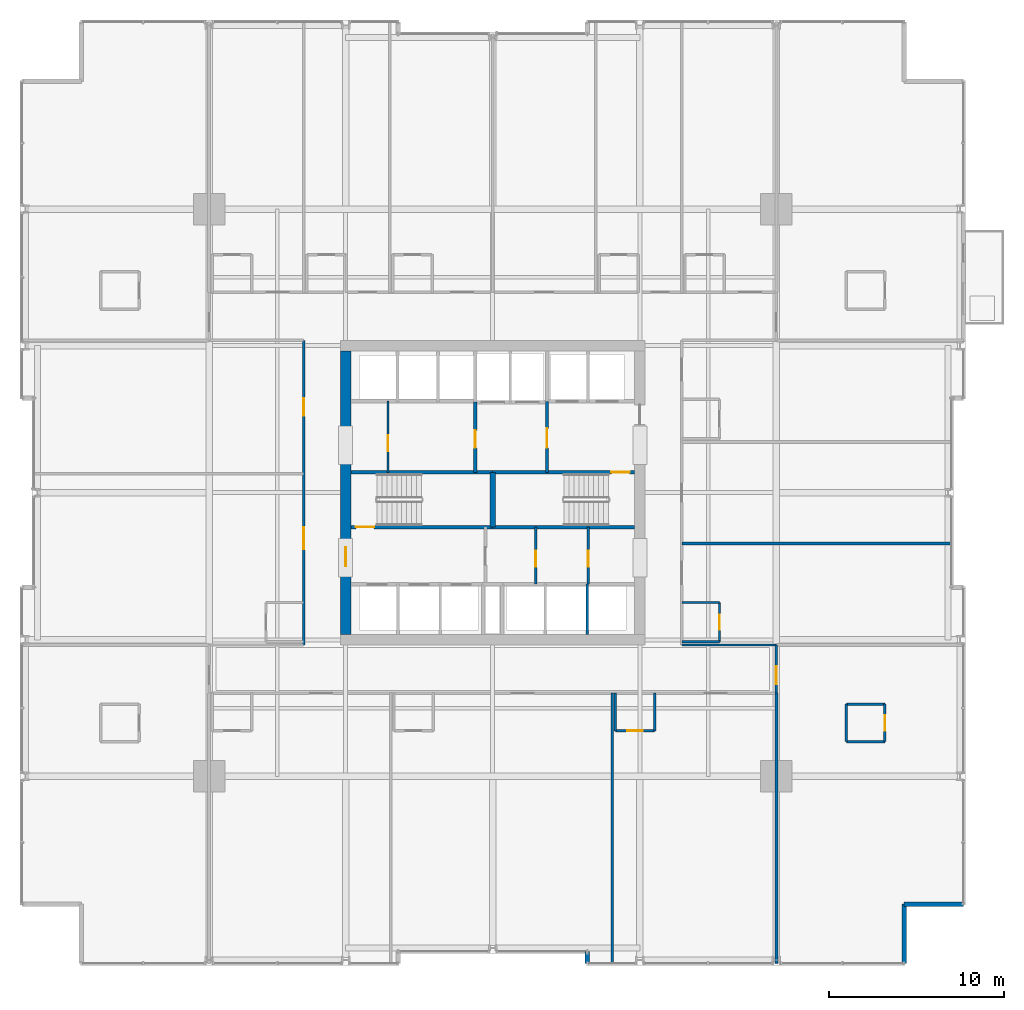
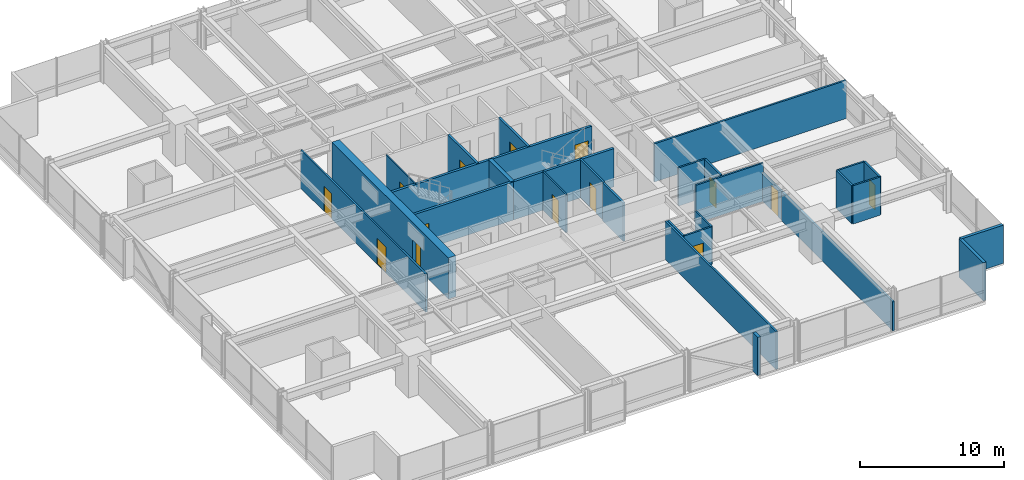
# One storey, part 31 of 38: 31 walls, 14 doors, 14 openings.
"""IFC4 building model written with IfcOpenShell, lengths in metres."""

import ifcopenshell
import ifcopenshell.guid

model = None  # the IFC model being written
_history = None  # IfcOwnerHistory: only IFC2X3 demands one
_inside = {}  # id of a spatial element -> (the spatial element, [elements in it])
_under = {}  # id of a project, library or spatial element -> (it, [spatial elements below it])
_declared = {}  # id of a project -> (the project, [libraries it declares])
_typed = {}  # id of a type object -> (the type object, [elements of that type])
_made_of = {}  # id of a material, layer set ... -> (it, [elements and type objects made of it])


def new_model(schema):
    """Start an empty IFC model of exactly this schema.

    Asked for "IFC4X3", IfcOpenShell would pick the latest addendum, in which some entities
    have other attributes; the version numbers below select the first issue.
    IFC2X3 requires an IfcOwnerHistory on every rooted entity: one is made here for all.
    """
    global model, _history
    if schema == "IFC4X3":
        model = ifcopenshell.file(schema_version=(4, 3, 0, 0))
    else:
        model = ifcopenshell.file(schema=schema)
    _inside.clear()
    _under.clear()
    _declared.clear()
    _typed.clear()
    _made_of.clear()
    _history = None
    if model.schema == "IFC2X3":
        org = make("IfcOrganization", Name="unknown")
        user = make(
            "IfcPersonAndOrganization",
            ThePerson=make("IfcPerson", FamilyName="unknown"),
            TheOrganization=org,
        )
        app = make(
            "IfcApplication",
            ApplicationDeveloper=org,
            Version="unknown",
            ApplicationFullName="unknown",
            ApplicationIdentifier="unknown",
        )
        _history = make(
            "IfcOwnerHistory",
            OwningUser=user,
            OwningApplication=app,
            ChangeAction="ADDED",
            CreationDate=0,
        )
    return model


def make(cls, **values):
    """One entity of the class cls with the attributes given. An attribute that is None is left unset."""
    return model.create_entity(
        cls, **{name: value for name, value in values.items() if value is not None}
    )


def rooted(cls, **values):
    """An entity with a GlobalId (a new one), such as an element, a storey or a relation."""
    return make(cls, GlobalId=ifcopenshell.guid.new(), OwnerHistory=_history, **values)


def si_unit(unit_type, name, prefix=None):
    """IfcSIUnit, for example si_unit("LENGTHUNIT", "METRE", prefix="MILLI")."""
    return make("IfcSIUnit", UnitType=unit_type, Prefix=prefix, Name=name)


def assignment(units):
    """IfcUnitAssignment: the units of a project."""
    return None if units is None else make("IfcUnitAssignment", Units=units)


def point(xyz):
    """IfcCartesianPoint."""
    return None if xyz is None else make("IfcCartesianPoint", Coordinates=xyz)


def direction(xyz):
    """IfcDirection."""
    return None if xyz is None else make("IfcDirection", DirectionRatios=xyz)


def frame(location, z_axis=None, x_axis=None):
    """IfcAxis2Placement3D, a coordinate frame: its origin and axes. An axis left out is left unset."""
    return make(
        "IfcAxis2Placement3D",
        Location=point(location),
        Axis=direction(z_axis),
        RefDirection=direction(x_axis),
    )


def frame_2d(location, x_axis=None):
    """IfcAxis2Placement2D, a coordinate frame in the plane: its origin and x axis."""
    return make(
        "IfcAxis2Placement2D", Location=point(location), RefDirection=direction(x_axis)
    )


def origin():
    """The frame at (0, 0, 0) with its axes left unset."""
    return frame((0.0, 0.0, 0.0))


def place(relative_to, where):
    """IfcLocalPlacement: puts the frame where relative to a parent placement (None: the world)."""
    return make(
        "IfcLocalPlacement", PlacementRelTo=relative_to, RelativePlacement=where
    )


def context(
    kind, dimensions, precision=None, world=None, true_north=None, identifier=None
):
    """IfcGeometricRepresentationContext, for example the 3D "Model" context."""
    return make(
        "IfcGeometricRepresentationContext",
        ContextIdentifier=identifier,
        ContextType=kind,
        CoordinateSpaceDimension=dimensions,
        Precision=precision,
        WorldCoordinateSystem=world,
        TrueNorth=true_north,
    )


def subcontext(parent, identifier, kind, view, scale=None):
    """IfcGeometricRepresentationSubContext, for example "Body" below "Model"."""
    return make(
        "IfcGeometricRepresentationSubContext",
        ContextIdentifier=identifier,
        ContextType=kind,
        ParentContext=parent,
        TargetScale=scale,
        TargetView=view,
    )


def project(units=None, contexts=None):
    """IfcProject with its units and contexts."""
    return rooted(
        "IfcProject",
        Name="project",
        RepresentationContexts=contexts,
        UnitsInContext=assignment(units),
    )


def spatial(cls, under=None, at=None, **own):
    """A site, building, storey or space (cls), placed at a placement, below another one or the project."""
    s = rooted(cls, ObjectPlacement=at, **own)
    if under is not None:
        _under.setdefault(under.id(), (under, []))[1].append(s)
    return s


def profile(cls, at=None, kind="AREA", **sizes):
    """A parametric profile (cls). Its sizes go by their IFC names, for example OverallWidth=200.0."""
    return make(cls, ProfileType=kind, Position=at, **sizes)


def rectangle(**sizes):
    """IfcRectangleProfileDef."""
    return profile("IfcRectangleProfileDef", **sizes)


def extrude(swept, where, along, depth):
    """IfcExtrudedAreaSolid: the profile swept, set in the frame where, extruded along a direction by depth."""
    return make(
        "IfcExtrudedAreaSolid",
        SweptArea=swept,
        Position=where,
        ExtrudedDirection=direction(along),
        Depth=depth,
    )


def shape(context_of_items, identifier, shape_type, items):
    """IfcShapeRepresentation: the items that make up one representation, for example the "Body"."""
    return make(
        "IfcShapeRepresentation",
        ContextOfItems=context_of_items,
        RepresentationIdentifier=identifier,
        RepresentationType=shape_type,
        Items=items,
    )


def material(Name=None, Category=None):
    """IfcMaterial."""
    return make("IfcMaterial", Name=Name, Category=Category)


def layer(
    of_material, thickness, ventilated=None, Name=None, Category=None, Priority=None
):
    """IfcMaterialLayer: one layer of a wall or slab, of a material (None: an air gap)."""
    return make(
        "IfcMaterialLayer",
        Material=of_material,
        LayerThickness=thickness,
        IsVentilated=ventilated,
        Name=Name,
        Category=Category,
        Priority=Priority,
    )


def layer_set(layers, Name=None):
    """IfcMaterialLayerSet."""
    return make("IfcMaterialLayerSet", MaterialLayers=layers, LayerSetName=Name)


def made_of(thing, what):
    """Note that an element or type object is made of a material, layer set ...; save() writes the relation."""
    if what is not None:
        _made_of.setdefault(what.id(), (what, []))[1].append(thing)
    return thing


def type_object(cls, material=None, **own):
    """A type object (cls), such as IfcWallType, which elements share."""
    return made_of(rooted(cls, **own), material)


def element(
    cls,
    number,
    at=None,
    inside=None,
    cuts=None,
    type_object=None,
    material=None,
    context=None,
    identifier="Body",
    shape_type=None,
    held_by="IfcProductDefinitionShape",
    body=None,
    shapes=None,
    **own,
):
    """One element of the class cls, such as IfcWall. Its Tag is "e" and its number.

    at: its placement. inside: the storey or other place that contains it. cuts: it is an
    opening in that element (IfcRelVoidsElement). A single representation is given by context,
    identifier, shape_type and body (its items); several are given by shapes. held_by: the class
    of the entity that holds the representations. save() writes the other relations.
    """
    e = rooted(cls, Tag="e%d" % number, ObjectPlacement=at, **own)
    if body is not None:
        shapes = [shape(context, identifier, shape_type, body)]
    if shapes is not None:
        e.Representation = make(held_by, Representations=shapes)
    if inside is not None:
        _inside.setdefault(inside.id(), (inside, []))[1].append(e)
    if cuts is not None:
        rooted(
            "IfcRelVoidsElement", RelatingBuildingElement=cuts, RelatedOpeningElement=e
        )
    if type_object is not None:
        _typed.setdefault(type_object.id(), (type_object, []))[1].append(e)
    return made_of(e, material)


def fill(opening, filler):
    """IfcRelFillsElement: the door or window that sits in an opening."""
    return rooted(
        "IfcRelFillsElement",
        RelatingOpeningElement=opening,
        RelatedBuildingElement=filler,
    )


def aggregate(whole, parts):
    """IfcRelAggregates: a whole, such as a stair, and the parts it consists of."""
    return rooted("IfcRelAggregates", RelatingObject=whole, RelatedObjects=parts)


def save(model, path):
    """Write the relations noted so far, then the file.

    IfcRelAggregates (storeys below a building ...), IfcRelContainedInSpatialStructure (elements
    in a storey), IfcRelDefinesByType, IfcRelAssociatesMaterial and IfcRelDeclares: one each for
    every whole, place, type object, material and project.
    """
    for whole, parts in _under.values():
        aggregate(whole, parts)
    for where, things in _inside.values():
        rooted(
            "IfcRelContainedInSpatialStructure",
            RelatedElements=things,
            RelatingStructure=where,
        )
    for kind, things in _typed.values():
        rooted("IfcRelDefinesByType", RelatedObjects=things, RelatingType=kind)
    for what, things in _made_of.values():
        rooted("IfcRelAssociatesMaterial", RelatedObjects=things, RelatingMaterial=what)
    for by, libraries in _declared.values():
        rooted("IfcRelDeclares", RelatingContext=by, RelatedDefinitions=libraries)
    model.write(path)


model = new_model("IFC4")

# Units and contexts
model_context = context("Model", 3, precision=1e-05, world=origin(), true_north=direction((0.0, 1.0)))
body_context = subcontext(model_context, "Body", "Model", "MODEL_VIEW")
ifc_project = project(units=[si_unit("LENGTHUNIT", "METRE"), si_unit("AREAUNIT", "SQUARE_METRE"), si_unit("VOLUMEUNIT", "CUBIC_METRE"), si_unit("PLANEANGLEUNIT", "RADIAN"), si_unit("MASSUNIT", "GRAM", prefix="KILO")], contexts=[model_context])

# Site, building, storey
site_placement = place(None, origin())
site = spatial("IfcSite", under=ifc_project, at=site_placement, CompositionType="ELEMENT")
building_placement = place(site_placement, origin())
building = spatial("IfcBuilding", under=site, at=building_placement, Name="Drelvath Grand Hotel", CompositionType="ELEMENT")
storey_placement = place(building_placement, frame((0.0, 0.0, 71.699951171875)))
storey = spatial("IfcBuildingStorey", under=building, at=storey_placement, Name="L17", CompositionType="ELEMENT", Elevation=71.699951171875)

# Wall, opening, door
ifc_material_1 = material(Name="Gypsum Partition Board")
ifc_layer_1 = layer(ifc_material_1, 0.10009765625)
ifc_layer_set_1 = layer_set([ifc_layer_1], Name="Gypsum Partition Board")
wall_type_1 = type_object("IfcWallType", Name="Core Closet Partition 100", PredefinedType="PARTITIONING", material=ifc_layer_set_1)
wall_1_placement = place(storey_placement, frame((-5.97998046875, 28.159912109375, 0.0), z_axis=(0.0, 0.0, 1.0), x_axis=(0.0, 1.0, 0.0)))
wall_1 = element("IfcWall", 1, at=wall_1_placement, inside=storey, type_object=wall_type_1, Name="L17 Core Closet Divider 2", PredefinedType="PARTITIONING", context=body_context, shape_type="SweptSolid", body=[
    extrude(rectangle(XDim=4.06005859375, YDim=0.10009765625, at=frame_2d((2.030029296875, 0.0))), origin(), (0.0, 0.0, 1.0), 3.239990234375),
])
opening_1_placement = place(wall_1_placement, frame((1.199951171875, 0.0, 0.0)))
opening_1 = element("IfcOpeningElement", 2, at=opening_1_placement, cuts=wall_1, Name="Opening D-T1G4-010", PredefinedType="OPENING", context=body_context, shape_type="SweptSolid", body=[
    extrude(rectangle(XDim=0.919921875, YDim=2.10009765625, at=frame_2d((0.4599609375, 1.050048828125))), frame((0.0, 0.06005859375, 0.0), z_axis=(0.0, -1.0, 0.0), x_axis=(1.0, 0.0, 0.0)), (0.0, 0.0, 1.0), 0.1201171875),
])
ifc_material_2 = material(Name="Painted Steel S275", Category="steel")
door_type_1 = type_object("IfcDoorType", Name="Staff Utility Door 920x2100", OperationType="NOTDEFINED", PredefinedType="DOOR", material=ifc_material_2)
door_1_placement = place(opening_1_placement, origin())
door_1 = element("IfcDoor", 3, at=door_1_placement, inside=storey, type_object=door_type_1, Name="L17 Low-Voltage Closet Door", OperationType="SINGLE_SWING_RIGHT", OverallHeight=2.10009765625, OverallWidth=0.919921875, PredefinedType="DOOR", context=body_context, shape_type="SweptSolid", body=[
    extrude(rectangle(XDim=0.919921875, YDim=2.10009765625, at=frame_2d((0.4599609375, 1.050048828125))), frame((0.0, 0.02490234375, 0.0), z_axis=(0.0, -1.0, 0.0), x_axis=(1.0, 0.0, 0.0)), (0.0, 0.0, 1.0), 0.050048828125),
])
fill(opening_1, door_1)

ifc_material_3 = material(Name="Concrete C40/50", Category="concrete")
ifc_layer_2 = layer(ifc_material_3, 0.199951171875)
ifc_layer_set_2 = layer_set([ifc_layer_2], Name="Concrete C40/50")
wall_type_2 = type_object("IfcWallType", Name="Core Shaft Fire Wall 200", PredefinedType="SOLIDWALL", material=ifc_layer_set_2)
wall_2_placement = place(storey_placement, frame((-8.10009765625, 25.0400390625, 0.0), z_axis=(0.0, 0.0, 1.0), x_axis=(1.0, 0.0, 0.0)))
wall_2 = element("IfcWall", 4, at=wall_2_placement, inside=storey, type_object=wall_type_2, Name="L17 Stair ST-1 South Wall", PredefinedType="SOLIDWALL", context=body_context, shape_type="SweptSolid", body=[
    extrude(rectangle(XDim=8.10009765625, YDim=0.199951171875, at=frame_2d((4.050048828125, 0.0))), origin(), (0.0, 0.0, 1.0), 3.239990234375),
])
opening_2_placement = place(wall_2_placement, frame((0.280029296875, 0.0, 0.0)))
opening_2 = element("IfcOpeningElement", 5, at=opening_2_placement, cuts=wall_2, Name="Opening D-T1G4-001", PredefinedType="OPENING", context=body_context, shape_type="SweptSolid", body=[
    extrude(rectangle(XDim=1.050048828125, YDim=2.10009765625, at=frame_2d((0.52490234375, 1.050048828125))), frame((0.0, 0.10986328125, 0.0), z_axis=(0.0, -1.0, 0.0), x_axis=(1.0, 0.0, 0.0)), (0.0, 0.0, 1.0), 0.219970703125),
])
door_type_2 = type_object("IfcDoorType", Name="Tower Stairwell Fire Door 1050x2100", OperationType="NOTDEFINED", PredefinedType="DOOR", material=ifc_material_2)
door_2_placement = place(opening_2_placement, origin())
door_2 = element("IfcDoor", 6, at=door_2_placement, inside=storey, type_object=door_type_2, Name="L17 Exit Stair ST-1 Door", OperationType="SINGLE_SWING_LEFT", OverallHeight=2.10009765625, OverallWidth=1.050048828125, PredefinedType="DOOR", context=body_context, shape_type="SweptSolid", body=[
    extrude(rectangle(XDim=1.050048828125, YDim=2.10009765625, at=frame_2d((0.52490234375, 1.050048828125))), frame((0.0, 0.02490234375, 0.0), z_axis=(0.0, -1.0, 0.0), x_axis=(1.0, 0.0, 0.0)), (0.0, 0.0, 1.0), 0.050048828125),
])
fill(opening_2, door_2)

# Walls
for number, where, z_axis, x_axis, name in (
    (7, (-8.10009765625, 28.159912109375, 0.0), (0.0, 0.0, 1.0), (1.0, 0.0, 0.0), "L17 Stair ST-1 North Wall"),
    (8, (0.0, 25.0400390625, 0.0), (0.0, 0.0, 1.0), (1.0, 0.0, 0.0), "L17 Stair ST-2 South Wall"),
):
    element("IfcWall", number, at=place(storey_placement, frame(where, z_axis=z_axis, x_axis=x_axis)), inside=storey, type_object=wall_type_2, Name=name, PredefinedType="SOLIDWALL", context=body_context, shape_type="SweptSolid", body=[
        extrude(rectangle(XDim=8.10009765625, YDim=0.199951171875, at=frame_2d((4.050048828125, 0.0))), origin(), (0.0, 0.0, 1.0), 3.239990234375),
    ])

# Wall, opening, door
wall_3_placement = place(storey_placement, frame((8.10009765625, 28.159912109375, 0.0), z_axis=(0.0, 0.0, 1.0), x_axis=(-1.0, 0.0, 0.0)))
wall_3 = element("IfcWall", 9, at=wall_3_placement, inside=storey, type_object=wall_type_2, Name="L17 Stair ST-2 North Wall", PredefinedType="SOLIDWALL", context=body_context, shape_type="SweptSolid", body=[
    extrude(rectangle(XDim=8.10009765625, YDim=0.199951171875, at=frame_2d((4.050048828125, 0.0))), origin(), (0.0, 0.0, 1.0), 3.239990234375),
])
opening_3_placement = place(wall_3_placement, frame((0.280029296875, 0.0, 0.0)))
opening_3 = element("IfcOpeningElement", 10, at=opening_3_placement, cuts=wall_3, Name="Opening D-T1G4-002", PredefinedType="OPENING", context=body_context, shape_type="SweptSolid", body=[
    extrude(rectangle(XDim=1.050048828125, YDim=2.10009765625, at=frame_2d((0.52490234375, 1.050048828125))), frame((0.0, 0.10986328125, 0.0), z_axis=(0.0, -1.0, 0.0), x_axis=(1.0, 0.0, 0.0)), (0.0, 0.0, 1.0), 0.219970703125),
])
door_3_placement = place(opening_3_placement, origin())
door_3 = element("IfcDoor", 11, at=door_3_placement, inside=storey, type_object=door_type_2, Name="L17 Exit Stair ST-2 Door", OperationType="SINGLE_SWING_LEFT", OverallHeight=2.10009765625, OverallWidth=1.050048828125, PredefinedType="DOOR", context=body_context, shape_type="SweptSolid", body=[
    extrude(rectangle(XDim=1.050048828125, YDim=2.10009765625, at=frame_2d((0.52490234375, 1.050048828125))), frame((0.0, 0.02490234375, 0.0), z_axis=(0.0, -1.0, 0.0), x_axis=(1.0, 0.0, 0.0)), (0.0, 0.0, 1.0), 0.050048828125),
])
fill(opening_3, door_3)

# Walls
ifc_layer_3 = layer(ifc_material_3, 0.300048828125)
ifc_layer_set_3 = layer_set([ifc_layer_3], Name="Concrete C40/50")
wall_type_3 = type_object("IfcWallType", Name="Core Shaft Fire Wall 300", PredefinedType="SOLIDWALL", material=ifc_layer_set_3)
wall_4_placement = place(storey_placement, frame((0.0, 25.0400390625, 0.0), z_axis=(0.0, 0.0, 1.0), x_axis=(0.0, 1.0, 0.0)))
element("IfcWall", 12, at=wall_4_placement, inside=storey, type_object=wall_type_3, Name="L17 Core Stair Divider Wall", PredefinedType="SOLIDWALL", context=body_context, shape_type="SweptSolid", body=[
    extrude(rectangle(XDim=3.119873046875, YDim=0.300048828125, at=frame_2d((1.56005859375, 0.0))), origin(), (0.0, 0.0, 1.0), 3.239990234375),
])
ifc_material_4 = material(Name="Gypsum Fireboard Partition")
ifc_layer_4 = layer(ifc_material_4, 0.1650390625)
ifc_layer_set_4 = layer_set([ifc_layer_4], Name="Gypsum Fireboard Partition")
wall_type_4 = type_object("IfcWallType", Name="Core Shaft Partition 165", PredefinedType="PARTITIONING", material=ifc_layer_set_4)
wall_5_placement = place(storey_placement, frame((5.39990234375, 18.89990234375, 0.0), z_axis=(0.0, 0.0, 1.0), x_axis=(0.0, 1.0, 0.0)))
element("IfcWall", 13, at=wall_5_placement, inside=storey, type_object=wall_type_4, Name="L17 Lift PE-5/6 Divider", PredefinedType="PARTITIONING", context=body_context, shape_type="SweptSolid", body=[
    extrude(rectangle(XDim=2.880126953125, YDim=0.1650390625, at=frame_2d((1.43994140625, 0.0))), origin(), (0.0, 0.0, 1.0), 3.239990234375),
])
ifc_layer_5 = layer(ifc_material_4, 0.135009765625)
ifc_layer_set_5 = layer_set([ifc_layer_5], Name="Gypsum Fireboard Partition")
wall_type_5 = type_object("IfcWallType", Name="Corridor Fire Barrier Wall 135", PredefinedType="PARTITIONING", material=ifc_layer_set_5)
wall_6_placement = place(storey_placement, frame((10.800048828125, 18.300048828125, 0.0), z_axis=(0.0, 0.0, 1.0), x_axis=(1.0, 0.0, 0.0)))
element("IfcWall", 14, at=wall_6_placement, inside=storey, type_object=wall_type_5, Name="L17 SE Spur Inner Wall", PredefinedType="PARTITIONING", context=body_context, shape_type="SweptSolid", body=[
    extrude(rectangle(XDim=5.39990234375, YDim=0.135009765625, at=frame_2d((2.699951171875, 0.0))), origin(), (0.0, 0.0, 1.0), 3.239990234375),
])

# Wall, openings, doors
wall_7_placement = place(storey_placement, frame((-10.800048828125, 18.300048828125, 0.0), z_axis=(0.0, 0.0, 1.0), x_axis=(0.0, 1.0, 0.0)))
wall_7 = element("IfcWall", 15, at=wall_7_placement, inside=storey, type_object=wall_type_5, Name="L17 West Corridor Wall", PredefinedType="PARTITIONING", context=body_context, shape_type="SweptSolid", body=[
    extrude(rectangle(XDim=17.39990234375, YDim=0.135009765625, at=frame_2d((8.699951171875, 0.0))), origin(), (0.0, 0.0, 1.0), 3.239990234375),
])
opening_4_placement = place(wall_7_placement, frame((5.478759765625, 0.0, 0.0)))
opening_4 = element("IfcOpeningElement", 16, at=opening_4_placement, cuts=wall_7, Name="Opening D-T1G4-044", PredefinedType="OPENING", context=body_context, shape_type="SweptSolid", body=[
    extrude(rectangle(XDim=1.260009765625, YDim=2.199951171875, at=frame_2d((0.6298828125, 1.10009765625))), frame((0.0, 0.077392578125, 0.0), z_axis=(0.0, -1.0, 0.0), x_axis=(1.0, 0.0, 0.0)), (0.0, 0.0, 1.0), 0.155029296875),
])
opening_5_placement = place(wall_7_placement, frame((13.083740234375, 0.0, 0.0)))
opening_5 = element("IfcOpeningElement", 17, at=opening_5_placement, cuts=wall_7, Name="Opening D-T1G4-045", PredefinedType="OPENING", context=body_context, shape_type="SweptSolid", body=[
    extrude(rectangle(XDim=1.02001953125, YDim=2.14990234375, at=frame_2d((0.510009765625, 1.074951171875))), frame((0.0, 0.077392578125, 0.0), z_axis=(0.0, -1.0, 0.0), x_axis=(1.0, 0.0, 0.0)), (0.0, 0.0, 1.0), 0.155029296875),
])
ifc_material_5 = material(Name="Hardwood Walnut Timber", Category="wood")
door_type_3 = type_object("IfcDoorType", Name="Amenity Meeting Fire Door 1020x2150", OperationType="NOTDEFINED", PredefinedType="DOOR", material=ifc_material_5)
door_4_placement = place(opening_5_placement, origin())
door_4 = element("IfcDoor", 18, at=door_4_placement, inside=storey, type_object=door_type_3, Name="L17 Wellness Consultation Room Entry Door", OperationType="SINGLE_SWING_RIGHT", OverallHeight=2.14990234375, OverallWidth=1.02001953125, PredefinedType="DOOR", context=body_context, shape_type="SweptSolid", body=[
    extrude(rectangle(XDim=1.02001953125, YDim=2.14990234375, at=frame_2d((0.510009765625, 1.074951171875))), frame((0.0, 0.02490234375, 0.0), z_axis=(0.0, -1.0, 0.0), x_axis=(1.0, 0.0, 0.0)), (0.0, 0.0, 1.0), 0.050048828125),
])
fill(opening_5, door_4)
door_type_4 = type_object("IfcDoorType", Name="Suite Entrance Fire Door 1260x2200", OperationType="NOTDEFINED", PredefinedType="DOOR", material=ifc_material_5)
door_5_placement = place(opening_4_placement, origin())
door_5 = element("IfcDoor", 19, at=door_5_placement, inside=storey, type_object=door_type_4, Name="L17 Corner Suite Entry Door", OperationType="SINGLE_SWING_LEFT", OverallHeight=2.199951171875, OverallWidth=1.260009765625, PredefinedType="DOOR", context=body_context, shape_type="SweptSolid", body=[
    extrude(rectangle(XDim=1.260009765625, YDim=2.199951171875, at=frame_2d((0.6298828125, 1.10009765625))), frame((0.0, 0.02490234375, 0.0), z_axis=(0.0, -1.0, 0.0), x_axis=(1.0, 0.0, 0.0)), (0.0, 0.0, 1.0), 0.050048828125),
])
fill(opening_4, door_5)

# Wall, opening, door
wall_8_placement = place(storey_placement, frame((16.199951171875, 15.550048828125, 0.0), z_axis=(0.0, 0.0, 1.0), x_axis=(0.0, 1.0, 0.0)))
wall_8 = element("IfcWall", 20, at=wall_8_placement, inside=storey, type_object=wall_type_5, Name="L17 South Corridor East End", PredefinedType="PARTITIONING", context=body_context, shape_type="SweptSolid", body=[
    extrude(rectangle(XDim=2.75, YDim=0.135009765625, at=frame_2d((1.375, 0.0))), origin(), (0.0, 0.0, 1.0), 2.451904296875),
])
opening_6_placement = place(wall_8_placement, frame((0.52001953125, 0.0, 0.0)))
opening_6 = element("IfcOpeningElement", 21, at=opening_6_placement, cuts=wall_8, Name="Opening D-T1G4-021", PredefinedType="OPENING", context=body_context, shape_type="SweptSolid", body=[
    extrude(rectangle(XDim=1.02001953125, YDim=2.14990234375, at=frame_2d((0.510009765625, 1.074951171875))), frame((0.0, 0.077392578125, 0.0), z_axis=(0.0, -1.0, 0.0), x_axis=(1.0, 0.0, 0.0)), (0.0, 0.0, 1.0), 0.155029296875),
])
door_6_placement = place(opening_6_placement, origin())
door_6 = element("IfcDoor", 22, at=door_6_placement, inside=storey, type_object=door_type_3, Name="L17 Corner Suite Entry Door", OperationType="SINGLE_SWING_RIGHT", OverallHeight=2.14990234375, OverallWidth=1.02001953125, PredefinedType="DOOR", context=body_context, shape_type="SweptSolid", body=[
    extrude(rectangle(XDim=1.02001953125, YDim=2.14990234375, at=frame_2d((0.510009765625, 1.074951171875))), frame((0.0, 0.02490234375, 0.0), z_axis=(0.0, -1.0, 0.0), x_axis=(1.0, 0.0, 0.0)), (0.0, 0.0, 1.0), 0.050048828125),
])
fill(opening_6, door_6)

ifc_material_6 = material(Name="Moisture-Resistant Gypsum Board")
ifc_layer_6 = layer(ifc_material_6, 0.139892578125)
ifc_layer_set_6 = layer_set([ifc_layer_6], Name="Moisture-Resistant Gypsum Board")
wall_type_6 = type_object("IfcWallType", Name="En-Suite Plumbing Wall 140", PredefinedType="PLUMBINGWALL", material=ifc_layer_set_6)
wall_9_placement = place(storey_placement, frame((2.4599609375, 21.780029296875, 0.0), z_axis=(0.0, 0.0, 1.0), x_axis=(0.0, 1.0, 0.0)))
wall_9 = element("IfcWall", 23, at=wall_9_placement, inside=storey, type_object=wall_type_6, Name="L17 Staff WC West Wall", PredefinedType="PLUMBINGWALL", context=body_context, shape_type="SweptSolid", body=[
    extrude(rectangle(XDim=3.260009765625, YDim=0.139892578125, at=frame_2d((1.6298828125, 0.0))), origin(), (0.0, 0.0, 1.0), 3.239990234375),
])
opening_7_placement = place(wall_9_placement, frame((1.0, 0.0, 0.0)))
opening_7 = element("IfcOpeningElement", 24, at=opening_7_placement, cuts=wall_9, Name="Opening D-T1G4-016", PredefinedType="OPENING", context=body_context, shape_type="SweptSolid", body=[
    extrude(rectangle(XDim=0.919921875, YDim=2.10009765625, at=frame_2d((0.4599609375, 1.050048828125))), frame((0.0, 0.079833984375, 0.0), z_axis=(0.0, -1.0, 0.0), x_axis=(1.0, 0.0, 0.0)), (0.0, 0.0, 1.0), 0.159912109375),
])
door_7_placement = place(opening_7_placement, origin())
door_7 = element("IfcDoor", 25, at=door_7_placement, inside=storey, type_object=door_type_1, Name="L17 Staff WC Door", OperationType="SINGLE_SWING_LEFT", OverallHeight=2.10009765625, OverallWidth=0.919921875, PredefinedType="DOOR", context=body_context, shape_type="SweptSolid", body=[
    extrude(rectangle(XDim=0.919921875, YDim=2.10009765625, at=frame_2d((0.4599609375, 1.050048828125))), frame((0.0, 0.02490234375, 0.0), z_axis=(0.0, -1.0, 0.0), x_axis=(1.0, 0.0, 0.0)), (0.0, 0.0, 1.0), 0.050048828125),
])
fill(opening_7, door_7)

wall_10_placement = place(storey_placement, frame((5.4599609375, 21.780029296875, 0.0), z_axis=(0.0, 0.0, 1.0), x_axis=(0.0, 1.0, 0.0)))
wall_10 = element("IfcWall", 26, at=wall_10_placement, inside=storey, type_object=wall_type_6, Name="L17 Staff WC East Wall", PredefinedType="PLUMBINGWALL", context=body_context, shape_type="SweptSolid", body=[
    extrude(rectangle(XDim=3.260009765625, YDim=0.139892578125, at=frame_2d((1.6298828125, 0.0))), origin(), (0.0, 0.0, 1.0), 3.239990234375),
])
opening_8_placement = place(wall_10_placement, frame((1.0, 0.0, 0.0)))
opening_8 = element("IfcOpeningElement", 27, at=opening_8_placement, cuts=wall_10, Name="Opening D-T1G4-017", PredefinedType="OPENING", context=body_context, shape_type="SweptSolid", body=[
    extrude(rectangle(XDim=0.919921875, YDim=2.10009765625, at=frame_2d((0.4599609375, 1.050048828125))), frame((0.0, 0.079833984375, 0.0), z_axis=(0.0, -1.0, 0.0), x_axis=(1.0, 0.0, 0.0)), (0.0, 0.0, 1.0), 0.159912109375),
])
door_8_placement = place(opening_8_placement, origin())
door_8 = element("IfcDoor", 28, at=door_8_placement, inside=storey, type_object=door_type_1, Name="L17 Janitor Supply Door", OperationType="SINGLE_SWING_RIGHT", OverallHeight=2.10009765625, OverallWidth=0.919921875, PredefinedType="DOOR", context=body_context, shape_type="SweptSolid", body=[
    extrude(rectangle(XDim=0.919921875, YDim=2.10009765625, at=frame_2d((0.4599609375, 1.050048828125))), frame((0.0, 0.02490234375, 0.0), z_axis=(0.0, -1.0, 0.0), x_axis=(1.0, 0.0, 0.0)), (0.0, 0.0, 1.0), 0.050048828125),
])
fill(opening_8, door_8)

# Walls
for number, where, z_axis, x_axis, name in (
    (29, (20.199951171875, 12.780029296875, 0.0), (0.0, 0.0, 1.0), (1.0, 0.0, 0.0), "L17 Corner En-Suite South"),
    (30, (20.199951171875, 14.929931640625, 0.0), (0.0, 0.0, 1.0), (1.0, 0.0, 0.0), "L17 Corner En-Suite North"),
):
    element("IfcWall", number, at=place(storey_placement, frame(where, z_axis=z_axis, x_axis=x_axis)), inside=storey, type_object=wall_type_6, Name=name, PredefinedType="PLUMBINGWALL", context=body_context, shape_type="SweptSolid", body=[
        extrude(rectangle(XDim=2.199951171875, YDim=0.139892578125, at=frame_2d((1.10009765625, 0.0))), origin(), (0.0, 0.0, 1.0), 3.239990234375),
    ])
wall_11_placement = place(storey_placement, frame((20.199951171875, 12.780029296875, 0.0), z_axis=(0.0, 0.0, 1.0), x_axis=(0.0, 1.0, 0.0)))
element("IfcWall", 31, at=wall_11_placement, inside=storey, type_object=wall_type_6, Name="L17 Corner En-Suite West", PredefinedType="PLUMBINGWALL", context=body_context, shape_type="SweptSolid", body=[
    extrude(rectangle(XDim=2.14990234375, YDim=0.139892578125, at=frame_2d((1.074951171875, 0.0))), origin(), (0.0, 0.0, 1.0), 3.239990234375),
])

# Wall, opening, door
wall_12_placement = place(storey_placement, frame((22.39990234375, 12.780029296875, 0.0), z_axis=(0.0, 0.0, 1.0), x_axis=(0.0, 1.0, 0.0)))
wall_12 = element("IfcWall", 32, at=wall_12_placement, inside=storey, type_object=wall_type_6, Name="L17 Corner En-Suite East", PredefinedType="PLUMBINGWALL", context=body_context, shape_type="SweptSolid", body=[
    extrude(rectangle(XDim=2.14990234375, YDim=0.139892578125, at=frame_2d((1.074951171875, 0.0))), origin(), (0.0, 0.0, 1.0), 3.239990234375),
])
opening_9_placement = place(wall_12_placement, frame((0.6201171875, 0.0, 0.0)))
opening_9 = element("IfcOpeningElement", 33, at=opening_9_placement, cuts=wall_12, Name="Opening D-T1G4-020", PredefinedType="OPENING", context=body_context, shape_type="SweptSolid", body=[
    extrude(rectangle(XDim=0.8798828125, YDim=2.10009765625, at=frame_2d((0.43994140625, 1.050048828125))), frame((0.0, 0.079833984375, 0.0), z_axis=(0.0, -1.0, 0.0), x_axis=(1.0, 0.0, 0.0)), (0.0, 0.0, 1.0), 0.159912109375),
])
door_type_5 = type_object("IfcDoorType", Name="En-Suite Bathroom Door 880x2100", OperationType="NOTDEFINED", PredefinedType="DOOR", material=ifc_material_5)
door_9_placement = place(opening_9_placement, origin())
door_9 = element("IfcDoor", 34, at=door_9_placement, inside=storey, type_object=door_type_5, Name="L17 Corner En-Suite Door", OperationType="SINGLE_SWING_LEFT", OverallHeight=2.10009765625, OverallWidth=0.8798828125, PredefinedType="DOOR", context=body_context, shape_type="SweptSolid", body=[
    extrude(rectangle(XDim=0.8798828125, YDim=2.10009765625, at=frame_2d((0.43994140625, 1.050048828125))), frame((0.0, 0.02490234375, 0.0), z_axis=(0.0, -1.0, 0.0), x_axis=(1.0, 0.0, 0.0)), (0.0, 0.0, 1.0), 0.050048828125),
])
fill(opening_9, door_9)

# Walls
for number, where, z_axis, x_axis, name in (
    (35, (7.001220703125, 15.550048828125, 0.0), (0.0, 0.0, 1.0), (0.0, -1.0, 0.0), "L17 En-Suite Left Wall"),
    (36, (9.251220703125, 15.550048828125, 0.0), (0.0, 0.0, 1.0), (0.0, -1.0, 0.0), "L17 En-Suite Right Wall"),
):
    element("IfcWall", number, at=place(storey_placement, frame(where, z_axis=z_axis, x_axis=x_axis)), inside=storey, type_object=wall_type_6, Name=name, PredefinedType="PLUMBINGWALL", context=body_context, shape_type="SweptSolid", body=[
        extrude(rectangle(XDim=2.150146484375, YDim=0.139892578125, at=frame_2d((1.0751953125, 0.0))), origin(), (0.0, 0.0, 1.0), 3.239990234375),
    ])

# Wall, opening, door
wall_13_placement = place(storey_placement, frame((7.001220703125, 13.39990234375, 0.0), z_axis=(0.0, 0.0, 1.0), x_axis=(1.0, 0.0, 0.0)))
wall_13 = element("IfcWall", 37, at=wall_13_placement, inside=storey, type_object=wall_type_6, Name="L17 En-Suite Front Wall", PredefinedType="PLUMBINGWALL", context=body_context, shape_type="SweptSolid", body=[
    extrude(rectangle(XDim=2.25, YDim=0.139892578125, at=frame_2d((1.125, 0.0))), origin(), (0.0, 0.0, 1.0), 3.239990234375),
])
opening_10_placement = place(wall_13_placement, frame((0.68505859375, 0.0, 0.0)))
opening_10 = element("IfcOpeningElement", 38, at=opening_10_placement, cuts=wall_13, Name="Opening D-T1G4-030", PredefinedType="OPENING", context=body_context, shape_type="SweptSolid", body=[
    extrude(rectangle(XDim=0.8798828125, YDim=2.10009765625, at=frame_2d((0.43994140625, 1.050048828125))), frame((0.0, 0.079833984375, 0.0), z_axis=(0.0, -1.0, 0.0), x_axis=(1.0, 0.0, 0.0)), (0.0, 0.0, 1.0), 0.159912109375),
])
door_10_placement = place(opening_10_placement, origin())
door_10 = element("IfcDoor", 39, at=door_10_placement, inside=storey, type_object=door_type_5, Name="L17 En-Suite Bathroom Door", OperationType="SINGLE_SWING_LEFT", OverallHeight=2.10009765625, OverallWidth=0.8798828125, PredefinedType="DOOR", context=body_context, shape_type="SweptSolid", body=[
    extrude(rectangle(XDim=0.8798828125, YDim=2.10009765625, at=frame_2d((0.43994140625, 1.050048828125))), frame((0.0, 0.02490234375, 0.0), z_axis=(0.0, -1.0, 0.0), x_axis=(1.0, 0.0, 0.0)), (0.0, 0.0, 1.0), 0.050048828125),
])
fill(opening_10, door_10)

# Walls
wall_14_placement = place(storey_placement, frame((10.800048828125, 18.47998046875, 0.0), z_axis=(0.0, 0.0, 1.0), x_axis=(1.0, 0.0, 0.0)))
element("IfcWall", 40, at=wall_14_placement, inside=storey, type_object=wall_type_6, Name="L17 En-Suite Left Wall", PredefinedType="PLUMBINGWALL", context=body_context, shape_type="SweptSolid", body=[
    extrude(rectangle(XDim=2.14990234375, YDim=0.139892578125, at=frame_2d((1.074951171875, 0.0))), origin(), (0.0, 0.0, 1.0), 2.617431640625),
])
wall_15_placement = place(storey_placement, frame((10.800048828125, 20.72998046875, 0.0), z_axis=(0.0, 0.0, 1.0), x_axis=(1.0, 0.0, 0.0)))
element("IfcWall", 41, at=wall_15_placement, inside=storey, type_object=wall_type_6, Name="L17 En-Suite Right Wall", PredefinedType="PLUMBINGWALL", context=body_context, shape_type="SweptSolid", body=[
    extrude(rectangle(XDim=2.14990234375, YDim=0.139892578125, at=frame_2d((1.074951171875, 0.0))), origin(), (0.0, 0.0, 1.0), 3.239990234375),
])

# Wall, opening, door
wall_16_placement = place(storey_placement, frame((12.949951171875, 18.47998046875, 0.0), z_axis=(0.0, 0.0, 1.0), x_axis=(0.0, 1.0, 0.0)))
wall_16 = element("IfcWall", 42, at=wall_16_placement, inside=storey, type_object=wall_type_6, Name="L17 En-Suite Front Wall", PredefinedType="PLUMBINGWALL", context=body_context, shape_type="SweptSolid", body=[
    extrude(rectangle(XDim=2.25, YDim=0.139892578125, at=frame_2d((1.125, 0.0))), origin(), (0.0, 0.0, 1.0), 3.239990234375),
])
opening_11_placement = place(wall_16_placement, frame((0.68505859375, 0.0, 0.0)))
opening_11 = element("IfcOpeningElement", 43, at=opening_11_placement, cuts=wall_16, Name="Opening D-T1G4-046", PredefinedType="OPENING", context=body_context, shape_type="SweptSolid", body=[
    extrude(rectangle(XDim=0.8798828125, YDim=2.10009765625, at=frame_2d((0.43994140625, 1.050048828125))), frame((0.0, 0.079833984375, 0.0), z_axis=(0.0, -1.0, 0.0), x_axis=(1.0, 0.0, 0.0)), (0.0, 0.0, 1.0), 0.159912109375),
])
door_11_placement = place(opening_11_placement, origin())
door_11 = element("IfcDoor", 44, at=door_11_placement, inside=storey, type_object=door_type_5, Name="L17 En-Suite Bathroom Door", OperationType="SINGLE_SWING_LEFT", OverallHeight=2.10009765625, OverallWidth=0.8798828125, PredefinedType="DOOR", context=body_context, shape_type="SweptSolid", body=[
    extrude(rectangle(XDim=0.8798828125, YDim=2.10009765625, at=frame_2d((0.43994140625, 1.050048828125))), frame((0.0, 0.02490234375, 0.0), z_axis=(0.0, -1.0, 0.0), x_axis=(1.0, 0.0, 0.0)), (0.0, 0.0, 1.0), 0.050048828125),
])
fill(opening_11, door_11)

ifc_layer_7 = layer(ifc_material_4, 0.179931640625)
ifc_layer_set_7 = layer_set([ifc_layer_7], Name="Gypsum Fireboard Partition")
wall_type_7 = type_object("IfcWallType", Name="FSAE Smoke Lobby Fire Wall 180", PredefinedType="SOLIDWALL", material=ifc_layer_set_7)
wall_17_placement = place(storey_placement, frame((3.10009765625, 28.159912109375, 0.0), z_axis=(0.0, 0.0, 1.0), x_axis=(0.0, 1.0, 0.0)))
wall_17 = element("IfcWall", 45, at=wall_17_placement, inside=storey, type_object=wall_type_7, Name="L17 FSAE Smoke Lobby West Wall", PredefinedType="SOLIDWALL", context=body_context, shape_type="SweptSolid", body=[
    extrude(rectangle(XDim=4.06005859375, YDim=0.179931640625, at=frame_2d((2.030029296875, 0.0))), origin(), (0.0, 0.0, 1.0), 3.239990234375),
])
opening_12_placement = place(wall_17_placement, frame((1.39990234375, 0.0, 0.0)))
opening_12 = element("IfcOpeningElement", 46, at=opening_12_placement, cuts=wall_17, Name="Opening D-T1G4-005", PredefinedType="OPENING", context=body_context, shape_type="SweptSolid", body=[
    extrude(rectangle(XDim=1.1201171875, YDim=2.10009765625, at=frame_2d((0.56005859375, 1.050048828125))), frame((0.0, 0.099853515625, 0.0), z_axis=(0.0, -1.0, 0.0), x_axis=(1.0, 0.0, 0.0)), (0.0, 0.0, 1.0), 0.199951171875),
])
door_type_6 = type_object("IfcDoorType", Name="FSAE Smoke Lobby Fire Door 1120x2100", OperationType="NOTDEFINED", PredefinedType="DOOR", material=ifc_material_2)
door_12_placement = place(opening_12_placement, origin())
door_12 = element("IfcDoor", 47, at=door_12_placement, inside=storey, type_object=door_type_6, Name="L17 FSAE Lobby Service Vestibule Door", OperationType="SINGLE_SWING_RIGHT", OverallHeight=2.10009765625, OverallWidth=1.1201171875, PredefinedType="DOOR", context=body_context, shape_type="SweptSolid", body=[
    extrude(rectangle(XDim=1.1201171875, YDim=2.10009765625, at=frame_2d((0.56005859375, 1.050048828125))), frame((0.0, 0.02490234375, 0.0), z_axis=(0.0, -1.0, 0.0), x_axis=(1.0, 0.0, 0.0)), (0.0, 0.0, 1.0), 0.050048828125),
])
fill(opening_12, door_12)

wall_18_placement = place(storey_placement, frame((-1.0, 28.159912109375, 0.0), z_axis=(0.0, 0.0, 1.0), x_axis=(0.0, 1.0, 0.0)))
wall_18 = element("IfcWall", 48, at=wall_18_placement, inside=storey, type_object=wall_type_7, Name="L17 Service Vestibule West Wall", PredefinedType="SOLIDWALL", context=body_context, shape_type="SweptSolid", body=[
    extrude(rectangle(XDim=4.02001953125, YDim=0.179931640625, at=frame_2d((2.010009765625, 0.0))), origin(), (0.0, 0.0, 1.0), 3.239990234375),
])
opening_13_placement = place(wall_18_placement, frame((1.39990234375, 0.0, 0.0)))
opening_13 = element("IfcOpeningElement", 49, at=opening_13_placement, cuts=wall_18, Name="Opening D-T1G4-009", PredefinedType="OPENING", context=body_context, shape_type="SweptSolid", body=[
    extrude(rectangle(XDim=1.0, YDim=2.10009765625, at=frame_2d((0.5, 1.050048828125))), frame((0.0, 0.099853515625, 0.0), z_axis=(0.0, -1.0, 0.0), x_axis=(1.0, 0.0, 0.0)), (0.0, 0.0, 1.0), 0.199951171875),
])
door_type_7 = type_object("IfcDoorType", Name="Core Service Fire Door 1000x2100", OperationType="NOTDEFINED", PredefinedType="DOOR", material=ifc_material_2)
door_13_placement = place(opening_13_placement, origin())
door_13 = element("IfcDoor", 50, at=door_13_placement, inside=storey, type_object=door_type_7, Name="L17 Service Vestibule West Door", OperationType="SINGLE_SWING_LEFT", OverallHeight=2.10009765625, OverallWidth=1.0, PredefinedType="DOOR", context=body_context, shape_type="SweptSolid", body=[
    extrude(rectangle(XDim=1.0, YDim=2.10009765625, at=frame_2d((0.5, 1.050048828125))), frame((0.0, 0.02490234375, 0.0), z_axis=(0.0, -1.0, 0.0), x_axis=(1.0, 0.0, 0.0)), (0.0, 0.0, 1.0), 0.050048828125),
])
fill(opening_13, door_13)

# Walls
ifc_material_7 = material(Name="Gypsum Acoustic Partition")
ifc_layer_8 = layer(ifc_material_7, 0.14990234375)
ifc_layer_set_8 = layer_set([ifc_layer_8], Name="Gypsum Acoustic Partition")
wall_type_8 = type_object("IfcWallType", Name="Guestroom Demising Wall 150", PredefinedType="PARTITIONING", material=ifc_layer_set_8)
wall_19_placement = place(storey_placement, frame((6.821044921875, 0.1201171875, 0.0), z_axis=(0.0, 0.0, 1.0), x_axis=(0.0, 1.0, 0.0)))
element("IfcWall", 51, at=wall_19_placement, inside=storey, type_object=wall_type_8, Name="L17 South Demising 2", PredefinedType="PARTITIONING", context=body_context, shape_type="SweptSolid", body=[
    extrude(rectangle(XDim=15.429931640625, YDim=0.14990234375, at=frame_2d((7.71484375, 0.0))), origin(), (0.0, 0.0, 1.0), 3.239990234375),
])
wall_20_placement = place(storey_placement, frame((10.800048828125, 24.10009765625, 0.0), z_axis=(0.0, 0.0, 1.0), x_axis=(1.0, 0.0, 0.0)))
element("IfcWall", 52, at=wall_20_placement, inside=storey, type_object=wall_type_8, Name="L17 East Demising 1", PredefinedType="PARTITIONING", context=body_context, shape_type="SweptSolid", body=[
    extrude(rectangle(XDim=15.39990234375, YDim=0.14990234375, at=frame_2d((7.699951171875, 0.0))), origin(), (0.0, 0.0, 1.0), 3.239990234375),
])

# Wall, opening, door
ifc_material_8 = material(Name="Concrete f'c 70 MPa", Category="concrete")
ifc_layer_9 = layer(ifc_material_8, 0.60009765625)
ifc_layer_set_9 = layer_set([ifc_layer_9], Name="Concrete f'c 70 MPa")
wall_type_9 = type_object("IfcWallType", Name="Lower Core RC Shear Wall 600", PredefinedType="SHEAR", material=ifc_layer_set_9)
wall_21_placement = place(storey_placement, frame((-8.39990234375, 18.89990234375, 0.0), z_axis=(0.0, 0.0, 1.0), x_axis=(0.0, 1.0, 0.0)))
wall_21 = element("IfcWall", 53, at=wall_21_placement, inside=storey, type_object=wall_type_9, Name="L17 Central Core Shear Wall W", PredefinedType="SHEAR", context=body_context, shape_type="SweptSolid", body=[
    extrude(rectangle(XDim=16.2001953125, YDim=0.60009765625, at=frame_2d((8.10009765625, 0.0))), origin(), (0.0, 0.0, 1.0), 3.5),
])
opening_14_placement = place(wall_21_placement, frame((3.89990234375, 0.0, 0.0)))
opening_14 = element("IfcOpeningElement", 54, at=opening_14_placement, cuts=wall_21, Name="Opening D-T1G4-015", PredefinedType="OPENING", context=body_context, shape_type="SweptSolid", body=[
    extrude(rectangle(XDim=1.080078125, YDim=2.0400390625, at=frame_2d((0.5400390625, 1.02001953125))), frame((0.0, 0.31005859375, 0.0), z_axis=(0.0, -1.0, 0.0), x_axis=(1.0, 0.0, 0.0)), (0.0, 0.0, 1.0), 0.6201171875),
])
door_type_8 = type_object("IfcDoorType", Name="Core Corridor Fire Door 1080x2100", OperationType="NOTDEFINED", PredefinedType="DOOR", material=ifc_material_2)
door_14_placement = place(opening_14_placement, origin())
door_14 = element("IfcDoor", 55, at=door_14_placement, inside=storey, type_object=door_type_8, Name="L17 Low-Rise Lobby West Door", OperationType="SINGLE_SWING_RIGHT", OverallHeight=2.0400390625, OverallWidth=1.080078125, PredefinedType="DOOR", context=body_context, shape_type="SweptSolid", body=[
    extrude(rectangle(XDim=1.080078125, YDim=2.0400390625, at=frame_2d((0.5400390625, 1.02001953125))), frame((0.0, 0.02490234375, 0.0), z_axis=(0.0, -1.0, 0.0), x_axis=(1.0, 0.0, 0.0)), (0.0, 0.0, 1.0), 0.050048828125),
])
fill(opening_14, door_14)

# Walls
ifc_layer_10 = layer(ifc_material_7, 0.1650390625)
ifc_layer_set_10 = layer_set([ifc_layer_10], Name="Gypsum Acoustic Partition")
wall_type_10 = type_object("IfcWallType", Name="Suite Demising Wall 165", PredefinedType="PARTITIONING", material=ifc_layer_set_10)
wall_22_placement = place(storey_placement, frame((16.199951171875, 0.1201171875, 0.0), z_axis=(0.0, 0.0, 1.0), x_axis=(0.0, 1.0, 0.0)))
element("IfcWall", 56, at=wall_22_placement, inside=storey, type_object=wall_type_10, Name="L17 SE Wing Boundary Wall", PredefinedType="PARTITIONING", context=body_context, shape_type="SweptSolid", body=[
    extrude(rectangle(XDim=15.429931640625, YDim=0.1650390625, at=frame_2d((7.71484375, 0.0))), origin(), (0.0, 0.0, 1.0), 2.451904296875),
])
ifc_material_9 = material(Name="Pale-Metal Insulated Aluminium Spandrel Assembly", Category="aluminium")
ifc_layer_11 = layer(ifc_material_9, 0.239990234375)
ifc_layer_set_11 = layer_set([ifc_layer_11], Name="Pale-Metal Insulated Aluminium Spandrel Assembly")
wall_type_11 = type_object("IfcWallType", Name="Tower Insulated Metal Spandrel Closure Wall 240", PredefinedType="STANDARD", material=ifc_layer_set_11)
for number, where, z_axis, x_axis, name in (
    (57, (26.8798828125, 3.5, 0.0), (0.0, 0.0, 1.0), (-1.0, 0.0, 0.0), "L17 Notched Corner Return Spandrel Wall CSE1"),
    (58, (23.5, 3.5, 0.0), (0.0, 0.0, 1.0), (0.0, -1.0, 0.0), "L17 Notched Corner Return Spandrel Wall CSE2"),
):
    element("IfcWall", number, at=place(storey_placement, frame(where, z_axis=z_axis, x_axis=x_axis)), inside=storey, type_object=wall_type_11, Name=name, PredefinedType="STANDARD", context=body_context, shape_type="SweptSolid", body=[
        extrude(rectangle(XDim=3.3798828125, YDim=0.239990234375, at=frame_2d((1.68994140625, 0.0))), origin(), (0.0, 0.0, 1.0), 3.239990234375),
    ])
wall_23_placement = place(storey_placement, frame((5.39990234375, 0.1201171875, 0.0), z_axis=(0.0, 0.0, 1.0), x_axis=(0.0, 1.0, 0.0)))
element("IfcWall", 59, at=wall_23_placement, inside=storey, type_object=wall_type_11, Name="L17 Notched Corner Return Spandrel Wall RS1", PredefinedType="STANDARD", context=body_context, shape_type="SweptSolid", body=[
    extrude(rectangle(XDim=0.679931640625, YDim=0.239990234375, at=frame_2d((0.33984375, 0.0))), origin(), (0.0, 0.0, 1.0), 3.239990234375),
])

save(model, "model.ifc")
